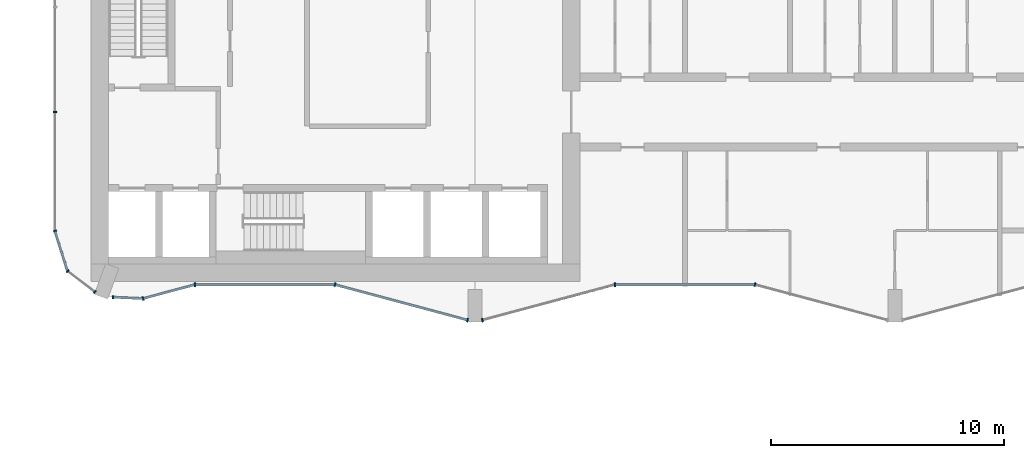
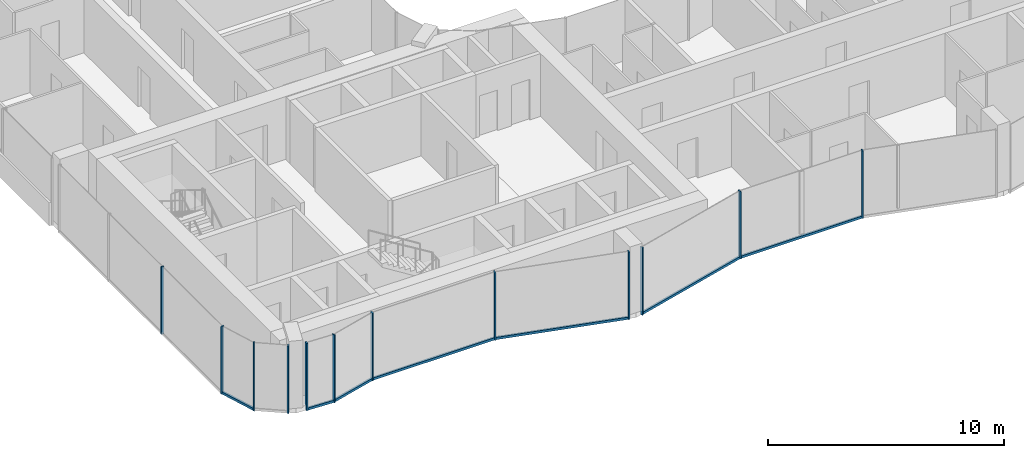
# One storey, part 2 of 24: 19 members, 10 elements without a shape of their own.
"""IFC4 building model written with IfcOpenShell, lengths in metres."""

import ifcopenshell
import ifcopenshell.guid

model = None  # the IFC model being written
_history = None  # IfcOwnerHistory: only IFC2X3 demands one
_inside = {}  # id of a spatial element -> (the spatial element, [elements in it])
_under = {}  # id of a project, library or spatial element -> (it, [spatial elements below it])
_declared = {}  # id of a project -> (the project, [libraries it declares])
_typed = {}  # id of a type object -> (the type object, [elements of that type])
_made_of = {}  # id of a material, layer set ... -> (it, [elements and type objects made of it])


def new_model(schema):
    """Start an empty IFC model of exactly this schema.

    Asked for "IFC4X3", IfcOpenShell would pick the latest addendum, in which some entities
    have other attributes; the version numbers below select the first issue.
    IFC2X3 requires an IfcOwnerHistory on every rooted entity: one is made here for all.
    """
    global model, _history
    if schema == "IFC4X3":
        model = ifcopenshell.file(schema_version=(4, 3, 0, 0))
    else:
        model = ifcopenshell.file(schema=schema)
    _inside.clear()
    _under.clear()
    _declared.clear()
    _typed.clear()
    _made_of.clear()
    _history = None
    if model.schema == "IFC2X3":
        org = make("IfcOrganization", Name="unknown")
        user = make(
            "IfcPersonAndOrganization",
            ThePerson=make("IfcPerson", FamilyName="unknown"),
            TheOrganization=org,
        )
        app = make(
            "IfcApplication",
            ApplicationDeveloper=org,
            Version="unknown",
            ApplicationFullName="unknown",
            ApplicationIdentifier="unknown",
        )
        _history = make(
            "IfcOwnerHistory",
            OwningUser=user,
            OwningApplication=app,
            ChangeAction="ADDED",
            CreationDate=0,
        )
    return model


def make(cls, **values):
    """One entity of the class cls with the attributes given. An attribute that is None is left unset."""
    return model.create_entity(
        cls, **{name: value for name, value in values.items() if value is not None}
    )


def rooted(cls, **values):
    """An entity with a GlobalId (a new one), such as an element, a storey or a relation."""
    return make(cls, GlobalId=ifcopenshell.guid.new(), OwnerHistory=_history, **values)


def si_unit(unit_type, name, prefix=None):
    """IfcSIUnit, for example si_unit("LENGTHUNIT", "METRE", prefix="MILLI")."""
    return make("IfcSIUnit", UnitType=unit_type, Prefix=prefix, Name=name)


def assignment(units):
    """IfcUnitAssignment: the units of a project."""
    return None if units is None else make("IfcUnitAssignment", Units=units)


def point(xyz):
    """IfcCartesianPoint."""
    return None if xyz is None else make("IfcCartesianPoint", Coordinates=xyz)


def direction(xyz):
    """IfcDirection."""
    return None if xyz is None else make("IfcDirection", DirectionRatios=xyz)


def frame(location, z_axis=None, x_axis=None):
    """IfcAxis2Placement3D, a coordinate frame: its origin and axes. An axis left out is left unset."""
    return make(
        "IfcAxis2Placement3D",
        Location=point(location),
        Axis=direction(z_axis),
        RefDirection=direction(x_axis),
    )


def frame_2d(location, x_axis=None):
    """IfcAxis2Placement2D, a coordinate frame in the plane: its origin and x axis."""
    return make(
        "IfcAxis2Placement2D", Location=point(location), RefDirection=direction(x_axis)
    )


def origin():
    """The frame at (0, 0, 0) with its axes left unset."""
    return frame((0.0, 0.0, 0.0))


def origin_2d():
    """The frame at (0, 0) in the plane with its x axis left unset."""
    return frame_2d((0.0, 0.0))


def place(relative_to, where):
    """IfcLocalPlacement: puts the frame where relative to a parent placement (None: the world)."""
    return make(
        "IfcLocalPlacement", PlacementRelTo=relative_to, RelativePlacement=where
    )


def context(
    kind, dimensions, precision=None, world=None, true_north=None, identifier=None
):
    """IfcGeometricRepresentationContext, for example the 3D "Model" context."""
    return make(
        "IfcGeometricRepresentationContext",
        ContextIdentifier=identifier,
        ContextType=kind,
        CoordinateSpaceDimension=dimensions,
        Precision=precision,
        WorldCoordinateSystem=world,
        TrueNorth=true_north,
    )


def subcontext(parent, identifier, kind, view, scale=None):
    """IfcGeometricRepresentationSubContext, for example "Body" below "Model"."""
    return make(
        "IfcGeometricRepresentationSubContext",
        ContextIdentifier=identifier,
        ContextType=kind,
        ParentContext=parent,
        TargetScale=scale,
        TargetView=view,
    )


def project(units=None, contexts=None):
    """IfcProject with its units and contexts."""
    return rooted(
        "IfcProject",
        Name="project",
        RepresentationContexts=contexts,
        UnitsInContext=assignment(units),
    )


def spatial(cls, under=None, at=None, **own):
    """A site, building, storey or space (cls), placed at a placement, below another one or the project."""
    s = rooted(cls, ObjectPlacement=at, **own)
    if under is not None:
        _under.setdefault(under.id(), (under, []))[1].append(s)
    return s


def profile(cls, at=None, kind="AREA", **sizes):
    """A parametric profile (cls). Its sizes go by their IFC names, for example OverallWidth=200.0."""
    return make(cls, ProfileType=kind, Position=at, **sizes)


def rectangle(**sizes):
    """IfcRectangleProfileDef."""
    return profile("IfcRectangleProfileDef", **sizes)


def extrude(swept, where, along, depth):
    """IfcExtrudedAreaSolid: the profile swept, set in the frame where, extruded along a direction by depth."""
    return make(
        "IfcExtrudedAreaSolid",
        SweptArea=swept,
        Position=where,
        ExtrudedDirection=direction(along),
        Depth=depth,
    )


def shape(context_of_items, identifier, shape_type, items):
    """IfcShapeRepresentation: the items that make up one representation, for example the "Body"."""
    return make(
        "IfcShapeRepresentation",
        ContextOfItems=context_of_items,
        RepresentationIdentifier=identifier,
        RepresentationType=shape_type,
        Items=items,
    )


def material(Name=None, Category=None):
    """IfcMaterial."""
    return make("IfcMaterial", Name=Name, Category=Category)


def layer(
    of_material, thickness, ventilated=None, Name=None, Category=None, Priority=None
):
    """IfcMaterialLayer: one layer of a wall or slab, of a material (None: an air gap)."""
    return make(
        "IfcMaterialLayer",
        Material=of_material,
        LayerThickness=thickness,
        IsVentilated=ventilated,
        Name=Name,
        Category=Category,
        Priority=Priority,
    )


def layer_set(layers, Name=None):
    """IfcMaterialLayerSet."""
    return make("IfcMaterialLayerSet", MaterialLayers=layers, LayerSetName=Name)


def material_profile(
    of_material, cross_section, Name=None, Category=None, Priority=None
):
    """IfcMaterialProfile: a cross section and its material."""
    return make(
        "IfcMaterialProfile",
        Name=Name,
        Material=of_material,
        Profile=cross_section,
        Priority=Priority,
        Category=Category,
    )


def profile_set(profiles, Name=None, composite=None):
    """IfcMaterialProfileSet."""
    return make(
        "IfcMaterialProfileSet",
        Name=Name,
        MaterialProfiles=profiles,
        CompositeProfile=composite,
    )


def made_of(thing, what):
    """Note that an element or type object is made of a material, layer set ...; save() writes the relation."""
    if what is not None:
        _made_of.setdefault(what.id(), (what, []))[1].append(thing)
    return thing


def type_object(cls, material=None, **own):
    """A type object (cls), such as IfcWallType, which elements share."""
    return made_of(rooted(cls, **own), material)


def element(
    cls,
    number,
    at=None,
    inside=None,
    cuts=None,
    type_object=None,
    material=None,
    context=None,
    identifier="Body",
    shape_type=None,
    held_by="IfcProductDefinitionShape",
    body=None,
    shapes=None,
    **own,
):
    """One element of the class cls, such as IfcWall. Its Tag is "e" and its number.

    at: its placement. inside: the storey or other place that contains it. cuts: it is an
    opening in that element (IfcRelVoidsElement). A single representation is given by context,
    identifier, shape_type and body (its items); several are given by shapes. held_by: the class
    of the entity that holds the representations. save() writes the other relations.
    """
    e = rooted(cls, Tag="e%d" % number, ObjectPlacement=at, **own)
    if body is not None:
        shapes = [shape(context, identifier, shape_type, body)]
    if shapes is not None:
        e.Representation = make(held_by, Representations=shapes)
    if inside is not None:
        _inside.setdefault(inside.id(), (inside, []))[1].append(e)
    if cuts is not None:
        rooted(
            "IfcRelVoidsElement", RelatingBuildingElement=cuts, RelatedOpeningElement=e
        )
    if type_object is not None:
        _typed.setdefault(type_object.id(), (type_object, []))[1].append(e)
    return made_of(e, material)


def aggregate(whole, parts):
    """IfcRelAggregates: a whole, such as a stair, and the parts it consists of."""
    return rooted("IfcRelAggregates", RelatingObject=whole, RelatedObjects=parts)


def save(model, path):
    """Write the relations noted so far, then the file.

    IfcRelAggregates (storeys below a building ...), IfcRelContainedInSpatialStructure (elements
    in a storey), IfcRelDefinesByType, IfcRelAssociatesMaterial and IfcRelDeclares: one each for
    every whole, place, type object, material and project.
    """
    for whole, parts in _under.values():
        aggregate(whole, parts)
    for where, things in _inside.values():
        rooted(
            "IfcRelContainedInSpatialStructure",
            RelatedElements=things,
            RelatingStructure=where,
        )
    for kind, things in _typed.values():
        rooted("IfcRelDefinesByType", RelatedObjects=things, RelatingType=kind)
    for what, things in _made_of.values():
        rooted("IfcRelAssociatesMaterial", RelatedObjects=things, RelatingMaterial=what)
    for by, libraries in _declared.values():
        rooted("IfcRelDeclares", RelatingContext=by, RelatedDefinitions=libraries)
    model.write(path)


model = new_model("IFC4")

# Units and contexts
model_context = context("Model", 3, precision=1e-05, world=origin(), true_north=direction((0.0, 1.0)))
body_context = subcontext(model_context, "Body", "Model", "MODEL_VIEW")
ifc_project = project(units=[si_unit("LENGTHUNIT", "METRE"), si_unit("AREAUNIT", "SQUARE_METRE"), si_unit("VOLUMEUNIT", "CUBIC_METRE"), si_unit("PLANEANGLEUNIT", "RADIAN"), si_unit("MASSUNIT", "GRAM", prefix="KILO")], contexts=[model_context])

# Site, building, storey
site_placement = place(None, origin())
site = spatial("IfcSite", under=ifc_project, at=site_placement, CompositionType="ELEMENT")
building_placement = place(site_placement, origin())
building = spatial("IfcBuilding", under=site, at=building_placement, Name="Plateau Cross Towers", CompositionType="ELEMENT")
storey_placement = place(building_placement, frame((0.0, 0.0, 51.300048828125)))
storey = spatial("IfcBuildingStorey", under=building, at=storey_placement, Name="L12", CompositionType="ELEMENT", Elevation=51.300048828125)

# Curtain wall, member
ifc_material_1 = material(Name="Dark low-iron glass", Category="glass")
ifc_layer_1 = layer(ifc_material_1, 0.239990234375)
ifc_layer_set_1 = layer_set([ifc_layer_1], Name="Dark low-iron glass")
curtain_wall_type_1 = type_object("IfcCurtainWallType", Name="Curtain wall flush unitised CW-B", PredefinedType="NOTDEFINED", material=ifc_layer_set_1)
curtain_wall_1_placement = place(storey_placement, origin())
curtain_wall_1 = element("IfcCurtainWall", 1, at=curtain_wall_1_placement, inside=storey, type_object=curtain_wall_type_1, Name="ENV/A/L12/A0_177", PredefinedType="NOTDEFINED")
ifc_material_2 = material(Name="Black anodised aluminium", Category="aluminium")
ifc_material_profile_1 = material_profile(ifc_material_2, rectangle(XDim=0.06005859375, YDim=0.139892578125, at=origin_2d()), Name="MULLION 60x140")
ifc_profile_set_1 = profile_set([ifc_material_profile_1], Name="Black anodised aluminium")
member_type_1 = type_object("IfcMemberType", Name="Mullion 60x140 flush unitised", PredefinedType="MULLION", material=ifc_profile_set_1)
member_1_placement = place(storey_placement, frame((0.0, 9.0, -0.25), z_axis=(0.0, 0.0, 1.0), x_axis=(0.0, -1.0, 0.0)))
member_1 = element("IfcMember", 2, at=member_1_placement, type_object=member_type_1, Name="CW-B mullion 3", PredefinedType="MULLION", context=body_context, shape_type="SweptSolid", body=[
    extrude(rectangle(XDim=0.06005859375, YDim=0.139892578125, at=origin_2d()), origin(), (0.0, 0.0, 1.0), 3.5),
])
aggregate(curtain_wall_1, [member_1])

curtain_wall_2_placement = place(storey_placement, origin())
curtain_wall_2 = element("IfcCurtainWall", 3, at=curtain_wall_2_placement, inside=storey, type_object=curtain_wall_type_1, Name="ENV/A/L12/A0_39", PredefinedType="NOTDEFINED")
member_2_placement = place(storey_placement, frame((0.0, 3.9091796875, -0.25), z_axis=(0.0, 0.0, 1.0), x_axis=(0.300686174994, -0.95372313811, 0.0)))
member_2 = element("IfcMember", 4, at=member_2_placement, type_object=member_type_1, Name="CW-B mullion 1", PredefinedType="MULLION", context=body_context, shape_type="SweptSolid", body=[
    extrude(rectangle(XDim=0.06005859375, YDim=0.139892578125, at=origin_2d()), origin(), (0.0, 0.0, 1.0), 3.5),
])

# Curtain wall, members
curtain_wall_3_placement = place(storey_placement, origin())
curtain_wall_3 = element("IfcCurtainWall", 5, at=curtain_wall_3_placement, inside=storey, type_object=curtain_wall_type_1, Name="ENV/A/L12/A5_22", PredefinedType="NOTDEFINED")
member_3_placement = place(storey_placement, frame((0.54248046875, 2.1884765625, -0.25), z_axis=(0.0, 0.0, 1.0), x_axis=(0.793315514529, -0.608810721331, 0.0)))
member_3 = element("IfcMember", 6, at=member_3_placement, type_object=member_type_1, Name="CW-B mullion 1", PredefinedType="MULLION", context=body_context, shape_type="SweptSolid", body=[
    extrude(rectangle(XDim=0.06005859375, YDim=0.139892578125, at=origin_2d()), origin(), (0.0, 0.0, 1.0), 3.5),
])
member_4_placement = place(storey_placement, frame((1.709716796875, 1.292724609375, -0.25), z_axis=(0.0, 0.0, 1.0), x_axis=(0.793315514529, -0.608810721331, 0.0)))
member_4 = element("IfcMember", 7, at=member_4_placement, type_object=member_type_1, Name="CW-B mullion 2", PredefinedType="MULLION", context=body_context, shape_type="SweptSolid", body=[
    extrude(rectangle(XDim=0.06005859375, YDim=0.139892578125, at=origin_2d()), origin(), (0.0, 0.0, 1.0), 3.5),
])
aggregate(curtain_wall_3, [member_3, member_4])

# Curtain wall, member
curtain_wall_4_placement = place(storey_placement, origin())
curtain_wall_4 = element("IfcCurtainWall", 8, at=curtain_wall_4_placement, inside=storey, type_object=curtain_wall_type_1, Name="ENV/A/L12/A25_11", PredefinedType="NOTDEFINED")
member_5_placement = place(storey_placement, frame((2.483642578125, 1.06787109375, -0.25), z_axis=(0.0, 0.0, 1.0), x_axis=(0.999043701491, -0.043722791671, 0.0)))
member_5 = element("IfcMember", 9, at=member_5_placement, type_object=member_type_1, Name="CW-B mullion 1", PredefinedType="MULLION", context=body_context, shape_type="SweptSolid", body=[
    extrude(rectangle(XDim=0.06005859375, YDim=0.139892578125, at=origin_2d()), origin(), (0.0, 0.0, 1.0), 3.5),
])

ifc_layer_2 = layer(ifc_material_1, 0.260009765625)
ifc_layer_set_2 = layer_set([ifc_layer_2], Name="Dark low-iron glass")
curtain_wall_type_2 = type_object("IfcCurtainWallType", Name="Curtain wall fluted unitised CW-A", PredefinedType="NOTDEFINED", material=ifc_layer_set_2)
curtain_wall_5_placement = place(storey_placement, origin())
curtain_wall_5 = element("IfcCurtainWall", 10, at=curtain_wall_5_placement, inside=storey, type_object=curtain_wall_type_2, Name="ENV/A/L12/A38_10", PredefinedType="NOTDEFINED")
ifc_material_profile_2 = material_profile(ifc_material_2, rectangle(XDim=0.06005859375, YDim=0.159912109375, at=origin_2d()), Name="MULLION 60x160")
ifc_profile_set_2 = profile_set([ifc_material_profile_2], Name="Black anodised aluminium")
member_type_2 = type_object("IfcMemberType", Name="Mullion 60x160 fluted unitised", PredefinedType="MULLION", material=ifc_profile_set_2)
member_6_placement = place(storey_placement, frame((3.776123046875, 1.01123046875, -0.25), z_axis=(0.0, 0.0, 1.0), x_axis=(0.965957962328, 0.258699081978, 0.0)))
member_6 = element("IfcMember", 11, at=member_6_placement, type_object=member_type_2, Name="CW-A mullion 1", PredefinedType="MULLION", context=body_context, shape_type="SweptSolid", body=[
    extrude(rectangle(XDim=0.06005859375, YDim=0.159912109375, at=origin_2d()), origin(), (0.0, 0.0, 1.0), 3.5),
])

curtain_wall_6_placement = place(storey_placement, origin())
curtain_wall_6 = element("IfcCurtainWall", 12, at=curtain_wall_6_placement, inside=storey, type_object=curtain_wall_type_2, Name="ENV/A/L12/A60_16", PredefinedType="NOTDEFINED")
member_7_placement = place(storey_placement, frame((6.0, 1.60693359375, -0.25), z_axis=(0.0, 0.0, 1.0), x_axis=(1.0, 0.0, 0.0)))
member_7 = element("IfcMember", 13, at=member_7_placement, type_object=member_type_2, Name="CW-A mullion 1", PredefinedType="MULLION", context=body_context, shape_type="SweptSolid", body=[
    extrude(rectangle(XDim=0.06005859375, YDim=0.159912109375, at=origin_2d()), origin(), (0.0, 0.0, 1.0), 3.5),
])

# Curtain wall, members
curtain_wall_7_placement = place(storey_placement, origin())
curtain_wall_7 = element("IfcCurtainWall", 14, at=curtain_wall_7_placement, inside=storey, type_object=curtain_wall_type_2, Name="ENV/A/L12/A120_16", PredefinedType="NOTDEFINED")
member_8_placement = place(storey_placement, frame((12.0, 1.60693359375, -0.25), z_axis=(0.0, 0.0, 1.0), x_axis=(0.965957983404, -0.258699003279, 0.0)))
member_8 = element("IfcMember", 15, at=member_8_placement, type_object=member_type_2, Name="CW-A mullion 1", PredefinedType="MULLION", context=body_context, shape_type="SweptSolid", body=[
    extrude(rectangle(XDim=0.06005859375, YDim=0.159912109375, at=origin_2d()), origin(), (0.0, 0.0, 1.0), 3.5),
])
member_9_placement = place(storey_placement, frame((17.68212890625, 0.085205078125, -0.25), z_axis=(0.0, 0.0, 1.0), x_axis=(0.965957983404, -0.258699003279, 0.0)))
member_9 = element("IfcMember", 16, at=member_9_placement, type_object=member_type_2, Name="CW-A mullion 2", PredefinedType="MULLION", context=body_context, shape_type="SweptSolid", body=[
    extrude(rectangle(XDim=0.06005859375, YDim=0.159912109375, at=origin_2d()), origin(), (0.0, 0.0, 1.0), 3.5),
])

# Curtain wall, member
curtain_wall_8_placement = place(storey_placement, origin())
curtain_wall_8 = element("IfcCurtainWall", 17, at=curtain_wall_8_placement, inside=storey, type_object=curtain_wall_type_2, Name="ENV/A/L12/A183_1", PredefinedType="NOTDEFINED")
member_10_placement = place(storey_placement, frame((18.31787109375, 0.085205078125, -0.25), z_axis=(0.0, 0.0, 1.0), x_axis=(0.965957983404, 0.258699003279, 0.0)))
member_10 = element("IfcMember", 18, at=member_10_placement, type_object=member_type_2, Name="CW-A mullion 1", PredefinedType="MULLION", context=body_context, shape_type="SweptSolid", body=[
    extrude(rectangle(XDim=0.06005859375, YDim=0.159912109375, at=origin_2d()), origin(), (0.0, 0.0, 1.0), 3.5),
])

curtain_wall_9_placement = place(storey_placement, origin())
curtain_wall_9 = element("IfcCurtainWall", 19, at=curtain_wall_9_placement, inside=storey, type_object=curtain_wall_type_2, Name="ENV/A/L12/A240_16", PredefinedType="NOTDEFINED")
member_11_placement = place(storey_placement, frame((24.0, 1.60693359375, -0.25), z_axis=(0.0, 0.0, 1.0), x_axis=(1.0, 0.0, 0.0)))
member_11 = element("IfcMember", 20, at=member_11_placement, type_object=member_type_2, Name="CW-A mullion 1", PredefinedType="MULLION", context=body_context, shape_type="SweptSolid", body=[
    extrude(rectangle(XDim=0.06005859375, YDim=0.159912109375, at=origin_2d()), origin(), (0.0, 0.0, 1.0), 3.5),
])

curtain_wall_10_placement = place(storey_placement, origin())
curtain_wall_10 = element("IfcCurtainWall", 21, at=curtain_wall_10_placement, inside=storey, type_object=curtain_wall_type_2, Name="ENV/A/L12/A300_16", PredefinedType="NOTDEFINED")
member_12_placement = place(storey_placement, frame((30.0, 1.60693359375, -0.25), z_axis=(0.0, 0.0, 1.0), x_axis=(0.965957983404, -0.258699003279, 0.0)))
member_12 = element("IfcMember", 22, at=member_12_placement, type_object=member_type_2, Name="CW-A mullion 1", PredefinedType="MULLION", context=body_context, shape_type="SweptSolid", body=[
    extrude(rectangle(XDim=0.06005859375, YDim=0.159912109375, at=origin_2d()), origin(), (0.0, 0.0, 1.0), 3.5),
])
aggregate(curtain_wall_10, [member_12])

# Member
ifc_material_profile_3 = material_profile(ifc_material_2, rectangle(XDim=0.10009765625, YDim=0.1201171875, at=origin_2d()), Name="TRANSOM 100x120")
ifc_profile_set_3 = profile_set([ifc_material_profile_3], Name="Black anodised aluminium")
member_type_3 = type_object("IfcMemberType", Name="Transom 100x120 flush unitised", PredefinedType="USERDEFINED", material=ifc_profile_set_3)
member_13_placement = place(storey_placement, frame((0.0, 3.9091796875, -0.18994140625), z_axis=(0.30067799945, -0.953725715626, 0.0), x_axis=(0.953725715626, 0.30067799945, 0.0)))
member_13 = element("IfcMember", 23, at=member_13_placement, type_object=member_type_3, Name="CW-B transom", ObjectType="TRANSOM", PredefinedType="USERDEFINED", context=body_context, shape_type="SweptSolid", body=[
    extrude(rectangle(XDim=0.10009765625, YDim=0.1201171875, at=origin_2d()), origin(), (0.0, 0.0, 1.0), 1.80419921875),
])

aggregate(curtain_wall_2, [member_2, member_13])

member_14_placement = place(storey_placement, frame((2.483642578125, 1.06787109375, -0.18994140625), z_axis=(0.999041144614, -0.043781175963, 0.0), x_axis=(0.043781175963, 0.999041144614, 0.0)))
member_14 = element("IfcMember", 24, at=member_14_placement, type_object=member_type_3, Name="CW-B transom", ObjectType="TRANSOM", PredefinedType="USERDEFINED", context=body_context, shape_type="SweptSolid", body=[
    extrude(rectangle(XDim=0.10009765625, YDim=0.1201171875, at=origin_2d()), origin(), (0.0, 0.0, 1.0), 1.293701171875),
])

aggregate(curtain_wall_4, [member_5, member_14])

ifc_material_profile_4 = material_profile(ifc_material_2, rectangle(XDim=0.10009765625, YDim=0.1201171875, at=origin_2d()), Name="TRANSOM 100x120")
ifc_profile_set_4 = profile_set([ifc_material_profile_4], Name="Black anodised aluminium")
member_type_4 = type_object("IfcMemberType", Name="Transom 100x120 fluted unitised", PredefinedType="USERDEFINED", material=ifc_profile_set_4)
member_15_placement = place(storey_placement, frame((3.776123046875, 1.01123046875, -0.18994140625), z_axis=(0.965945685136, 0.258744919501, 0.0), x_axis=(-0.258744919501, 0.965945685136, 0.0)))
member_15 = element("IfcMember", 25, at=member_15_placement, type_object=member_type_4, Name="CW-A transom", ObjectType="TRANSOM", PredefinedType="USERDEFINED", context=body_context, shape_type="SweptSolid", body=[
    extrude(rectangle(XDim=0.10009765625, YDim=0.1201171875, at=origin_2d()), origin(), (0.0, 0.0, 1.0), 2.30224609375),
])

aggregate(curtain_wall_5, [member_6, member_15])

member_16_placement = place(storey_placement, frame((6.0, 1.60693359375, -0.18994140625), z_axis=(1.0, 0.0, 0.0), x_axis=(0.0, 1.0, 0.0)))
member_16 = element("IfcMember", 26, at=member_16_placement, type_object=member_type_4, Name="CW-A transom", ObjectType="TRANSOM", PredefinedType="USERDEFINED", context=body_context, shape_type="SweptSolid", body=[
    extrude(rectangle(XDim=0.10009765625, YDim=0.1201171875, at=origin_2d()), origin(), (0.0, 0.0, 1.0), 6.0),
])

aggregate(curtain_wall_6, [member_7, member_16])

member_17_placement = place(storey_placement, frame((12.0, 1.60693359375, -0.18994140625), z_axis=(0.965959534794, -0.258693210465, 0.0), x_axis=(0.258693210465, 0.965959534794, 0.0)))
member_17 = element("IfcMember", 27, at=member_17_placement, type_object=member_type_4, Name="CW-A transom", ObjectType="TRANSOM", PredefinedType="USERDEFINED", context=body_context, shape_type="SweptSolid", body=[
    extrude(rectangle(XDim=0.10009765625, YDim=0.1201171875, at=origin_2d()), origin(), (0.0, 0.0, 1.0), 5.88232421875),
])

aggregate(curtain_wall_7, [member_8, member_9, member_17])

member_18_placement = place(storey_placement, frame((18.31787109375, 0.085205078125, -0.18994140625), z_axis=(0.965959534794, 0.258693210465, 0.0), x_axis=(-0.258693210465, 0.965959534794, 0.0)))
member_18 = element("IfcMember", 28, at=member_18_placement, type_object=member_type_4, Name="CW-A transom", ObjectType="TRANSOM", PredefinedType="USERDEFINED", context=body_context, shape_type="SweptSolid", body=[
    extrude(rectangle(XDim=0.10009765625, YDim=0.1201171875, at=origin_2d()), origin(), (0.0, 0.0, 1.0), 5.88232421875),
])

aggregate(curtain_wall_8, [member_10, member_18])

member_19_placement = place(storey_placement, frame((24.0, 1.60693359375, -0.18994140625), z_axis=(1.0, 0.0, 0.0), x_axis=(0.0, 1.0, 0.0)))
member_19 = element("IfcMember", 29, at=member_19_placement, type_object=member_type_4, Name="CW-A transom", ObjectType="TRANSOM", PredefinedType="USERDEFINED", context=body_context, shape_type="SweptSolid", body=[
    extrude(rectangle(XDim=0.10009765625, YDim=0.1201171875, at=origin_2d()), origin(), (0.0, 0.0, 1.0), 6.0),
])

aggregate(curtain_wall_9, [member_11, member_19])

save(model, "model.ifc")
